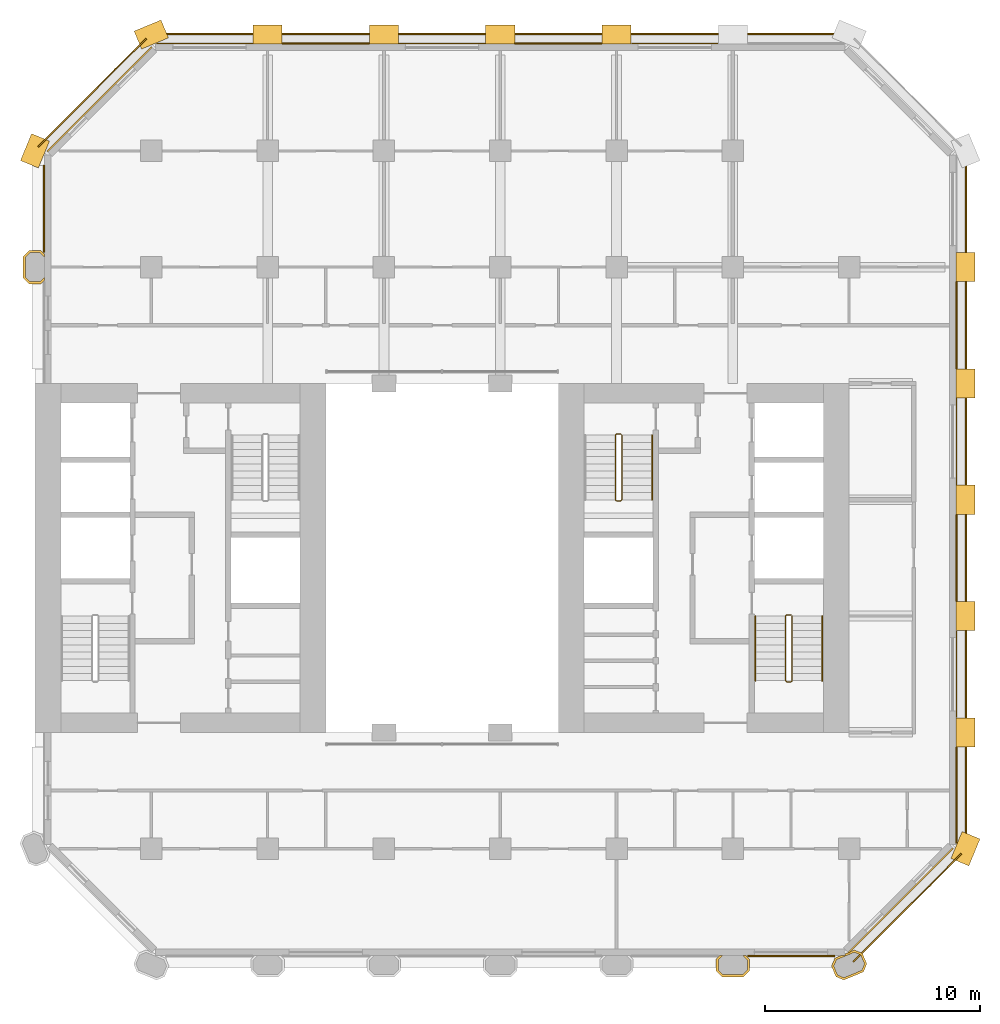
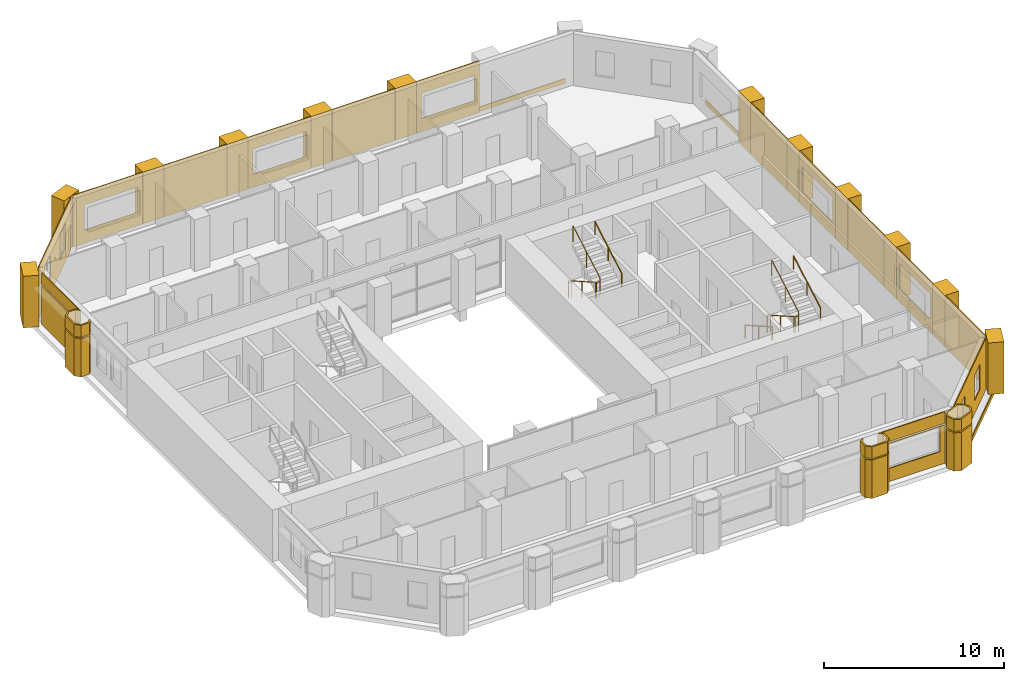
# One storey, part 10 of 11: 38 coverings, 5 railings.
"""IFC4 building model written with IfcOpenShell, lengths in metres."""

from ifc_helpers import new_model, si_unit, direction, frame, frame_2d, origin, origin_2d, place, context, subcontext, project, spatial, polyline, rectangle, circle, outline, extrude, material, layer, layer_set, type_object, element, save


model = new_model("IFC4")

# Units and contexts
model_context = context("Model", 3, precision=1e-05, world=origin(), true_north=direction((0.0, 1.0)))
body_context = subcontext(model_context, "Body", "Model", "MODEL_VIEW")
ifc_project = project(units=[si_unit("LENGTHUNIT", "METRE"), si_unit("AREAUNIT", "SQUARE_METRE"), si_unit("VOLUMEUNIT", "CUBIC_METRE"), si_unit("PLANEANGLEUNIT", "RADIAN"), si_unit("MASSUNIT", "GRAM", prefix="KILO")], contexts=[model_context])

# Site, building, storey
site_placement = place(None, origin())
site = spatial("IfcSite", under=ifc_project, at=site_placement, CompositionType="ELEMENT")
building_placement = place(site_placement, origin())
building = spatial("IfcBuilding", under=site, at=building_placement, Name="Tabaq Tower and Sports Hall", CompositionType="ELEMENT")
storey_placement = place(building_placement, frame((0.0, 0.0, 76.39990234375)))
storey = spatial("IfcBuildingStorey", under=building, at=storey_placement, Name="L17", CompositionType="ELEMENT", Elevation=76.39990234375)

# Coverings
ifc_material_1 = material(Name="Precast concrete C60/75", Category="concrete")
ifc_layer_1 = layer(ifc_material_1, 0.10009765625)
ifc_layer_set_1 = layer_set([ifc_layer_1], Name="Column cladding 100")
covering_type_1 = type_object("IfcCoveringType", Name="Column cladding 100", PredefinedType="CLADDING", material=ifc_layer_set_1)
covering_1_placement = place(storey_placement, origin())
element("IfcCovering", 1, at=covering_1_placement, inside=storey, type_object=covering_type_1, Name="Column cladding L17 PC-2H-O2", PredefinedType="CLADDING", context=body_context, shape_type="SweptSolid", body=[
    extrude(outline(polyline([(5.1337890625, 37.025390625), (4.850341796875, 37.30859375), (4.850341796875, 38.291259765625), (5.1337890625, 38.57470703125), (5.666259765625, 38.57470703125), (5.849609375, 38.391357421875), (5.849609375, 38.250732421875), (5.625244140625, 38.475341796875), (5.1748046875, 38.475341796875), (4.94970703125, 38.250244140625), (4.94970703125, 37.349853515625), (5.1748046875, 37.124755859375), (5.625244140625, 37.124755859375), (5.849609375, 37.349365234375), (5.849609375, 37.208740234375), (5.666259765625, 37.025390625), (5.1337890625, 37.025390625)])), origin(), (0.0, 0.0, 1.0), 2.60009765625),
])
covering_2_placement = place(storey_placement, frame((0.0, 0.0, 2.7001953125)))
element("IfcCovering", 2, at=covering_2_placement, inside=storey, type_object=covering_type_1, Name="Column cladding L17 PC-2H-O2 2", PredefinedType="CLADDING", context=body_context, shape_type="SweptSolid", body=[
    extrude(outline(polyline([(5.1337890625, 37.025390625), (4.850341796875, 37.30859375), (4.850341796875, 38.291259765625), (5.1337890625, 38.57470703125), (5.666259765625, 38.57470703125), (5.849609375, 38.391357421875), (5.849609375, 38.250732421875), (5.625244140625, 38.475341796875), (5.1748046875, 38.475341796875), (4.94970703125, 38.250244140625), (4.94970703125, 37.349853515625), (5.1748046875, 37.124755859375), (5.625244140625, 37.124755859375), (5.849609375, 37.349365234375), (5.849609375, 37.208740234375), (5.666259765625, 37.025390625), (5.1337890625, 37.025390625)])), origin(), (0.0, 0.0, 1.0), 0.7998046875),
])
covering_3_placement = place(storey_placement, origin())
element("IfcCovering", 3, at=covering_3_placement, inside=storey, type_object=covering_type_1, Name="Column cladding L17 PC-8B-O2", PredefinedType="CLADDING", context=body_context, shape_type="SweptSolid", body=[
    extrude(outline(polyline([(37.025390625, 5.666259765625), (37.208740234375, 5.849609375), (37.349365234375, 5.849609375), (37.124755859375, 5.625244140625), (37.124755859375, 5.1748046875), (37.349853515625, 4.94970703125), (38.250244140625, 4.94970703125), (38.475341796875, 5.1748046875), (38.475341796875, 5.625244140625), (38.250732421875, 5.849609375), (38.391357421875, 5.849609375), (38.57470703125, 5.666259765625), (38.57470703125, 5.1337890625), (38.291259765625, 4.850341796875), (37.30859375, 4.850341796875), (37.025390625, 5.1337890625), (37.025390625, 5.666259765625)])), origin(), (0.0, 0.0, 1.0), 2.60009765625),
])
covering_4_placement = place(storey_placement, frame((0.0, 0.0, 2.7001953125)))
element("IfcCovering", 4, at=covering_4_placement, inside=storey, type_object=covering_type_1, Name="Column cladding L17 PC-8B-O2 2", PredefinedType="CLADDING", context=body_context, shape_type="SweptSolid", body=[
    extrude(outline(polyline([(37.025390625, 5.666259765625), (37.208740234375, 5.849609375), (37.349365234375, 5.849609375), (37.124755859375, 5.625244140625), (37.124755859375, 5.1748046875), (37.349853515625, 4.94970703125), (38.250244140625, 4.94970703125), (38.475341796875, 5.1748046875), (38.475341796875, 5.625244140625), (38.250732421875, 5.849609375), (38.391357421875, 5.849609375), (38.57470703125, 5.666259765625), (38.57470703125, 5.1337890625), (38.291259765625, 4.850341796875), (37.30859375, 4.850341796875), (37.025390625, 5.1337890625), (37.025390625, 5.666259765625)])), origin(), (0.0, 0.0, 1.0), 0.7998046875),
])
covering_5_placement = place(storey_placement, origin())
element("IfcCovering", 5, at=covering_5_placement, inside=storey, type_object=covering_type_1, Name="Column cladding L17 PC-9B-O2", PredefinedType="CLADDING", context=body_context, shape_type="SweptSolid", body=[
    extrude(outline(polyline([(42.38232421875, 5.349609375), (42.53564453125, 5.7197265625), (42.84912109375, 5.849609375), (43.013916015625, 5.849609375), (43.013916015625, 5.91796875), (43.16748046875, 5.9814453125), (43.198974609375, 5.9501953125), (43.27490234375, 6.026123046875), (43.443603515625, 6.095947265625), (43.813720703125, 5.9423828125), (44.017578125, 5.450439453125), (43.8642578125, 5.080078125), (42.95654296875, 4.7041015625), (42.586181640625, 4.857421875), (42.38232421875, 5.349609375)]), holes=[polyline([(43.91015625, 5.450439453125), (43.73779296875, 5.866455078125), (43.443603515625, 5.98828125), (42.61181640625, 5.643798828125), (42.489990234375, 5.349609375), (42.662353515625, 4.93359375), (42.95654296875, 4.811767578125), (43.7880859375, 5.15625), (43.91015625, 5.450439453125)])]), origin(), (0.0, 0.0, 1.0), 2.60009765625),
])
covering_6_placement = place(storey_placement, frame((0.0, 0.0, 2.7001953125)))
element("IfcCovering", 6, at=covering_6_placement, inside=storey, type_object=covering_type_1, Name="Column cladding L17 PC-9B-O2 2", PredefinedType="CLADDING", context=body_context, shape_type="SweptSolid", body=[
    extrude(outline(polyline([(42.38232421875, 5.349609375), (42.53564453125, 5.7197265625), (42.84912109375, 5.849609375), (43.013916015625, 5.849609375), (43.013916015625, 5.91796875), (43.16748046875, 5.9814453125), (43.198974609375, 5.9501953125), (43.27490234375, 6.026123046875), (43.443603515625, 6.095947265625), (43.813720703125, 5.9423828125), (44.017578125, 5.450439453125), (43.8642578125, 5.080078125), (42.95654296875, 4.7041015625), (42.586181640625, 4.857421875), (42.38232421875, 5.349609375)]), holes=[polyline([(43.91015625, 5.450439453125), (43.73779296875, 5.866455078125), (43.443603515625, 5.98828125), (42.61181640625, 5.643798828125), (42.489990234375, 5.349609375), (42.662353515625, 4.93359375), (42.95654296875, 4.811767578125), (43.7880859375, 5.15625), (43.91015625, 5.450439453125)])]), origin(), (0.0, 0.0, 1.0), 0.7998046875),
])
ifc_material_2 = material(Name="Precast concrete C60/75", Category="concrete")
ifc_layer_2 = layer(ifc_material_2, 0.06005859375)
ifc_layer_set_2 = layer_set([ifc_layer_2], Name="Edge beam cladding 60")
covering_type_2 = type_object("IfcCoveringType", Name="Edge beam cladding 60", PredefinedType="CLADDING", material=ifc_layer_set_2)
covering_7_placement = place(storey_placement, frame((43.39794921875, 5.5556640625, -0.2998046875), z_axis=(0.0, 0.0, 1.0), x_axis=(0.707124002701, 0.707089559252, 0.0)))
element("IfcCovering", 7, at=covering_7_placement, inside=storey, type_object=covering_type_2, Name="Edge beam cladding L17 1", PredefinedType="CLADDING", context=body_context, shape_type="SweptSolid", body=[
    extrude(rectangle(XDim=7.088134765625, YDim=0.06005859375, at=frame_2d((3.5439453125, 0.0))), origin(), (0.0, 0.0, 1.0), 0.2998046875),
])
for number, where, z_axis, x_axis, name in (
    (8, (48.6298828125, 11.0986328125, -0.2998046875), (0.0, 0.0, 1.0), (0.0, 1.0, 0.0), "Edge beam cladding L17 2"),
    (9, (42.9013671875, 48.6298828125, -0.2998046875), (0.0, 0.0, 1.0), (-1.0, 0.0, 0.0), "Edge beam cladding L17 4"),
):
    element("IfcCovering", number, at=place(storey_placement, frame(where, z_axis=z_axis, x_axis=x_axis)), inside=storey, type_object=covering_type_2, Name=name, PredefinedType="CLADDING", context=body_context, shape_type="SweptSolid", body=[
        extrude(rectangle(XDim=31.802734375, YDim=0.06005859375, at=frame_2d((15.9013671875, 0.0))), origin(), (0.0, 0.0, 1.0), 0.2998046875),
    ])
covering_8_placement = place(storey_placement, frame((10.567626953125, 48.41015625, -0.2998046875), z_axis=(0.0, 0.0, 1.0), x_axis=(-0.707089559252, -0.707124002701, 0.0)))
element("IfcCovering", 10, at=covering_8_placement, inside=storey, type_object=covering_type_2, Name="Edge beam cladding L17 5", PredefinedType="CLADDING", context=body_context, shape_type="SweptSolid", body=[
    extrude(rectangle(XDim=7.088134765625, YDim=0.06005859375, at=frame_2d((3.5439453125, 0.0))), origin(), (0.0, 0.0, 1.0), 0.2998046875),
])
ifc_material_3 = material(Name="White precast concrete C60/75", Category="concrete")
covering_type_3 = type_object("IfcCoveringType", Name="Pier cladding hung 1350x900", PredefinedType="CLADDING", material=ifc_material_3)
for number, where, z_axis, x_axis, name in (
    (11, (5.658203125, 43.82373046875, 0.0), (0.0, 0.0, 1.0), (-0.382649923473, -0.923893411637, 0.0), "Hung pier cladding 1/8"),
    (12, (11.423583984375, 48.8583984375, 0.0), (0.0, 0.0, 1.0), (-0.923893411637, -0.382649923473, 0.0), "Hung pier cladding 2/9"),
    (13, (16.875, 48.60009765625, 0.0), (0.0, 0.0, 1.0), (-1.0, 0.0, 0.0), "Hung pier cladding 3/9"),
):
    element("IfcCovering", number, at=place(storey_placement, frame(where, z_axis=z_axis, x_axis=x_axis)), inside=storey, type_object=covering_type_3, Name=name, PredefinedType="CLADDING", context=body_context, shape_type="SweptSolid", body=[
        extrude(rectangle(XDim=1.35009765625, YDim=0.89990234375, at=frame_2d((0.675048828125, 0.0))), origin(), (0.0, 0.0, 1.0), 3.5),
    ])
covering_9_placement = place(storey_placement, frame((22.27490234375, 48.60009765625, 0.0), z_axis=(0.0, 0.0, 1.0), x_axis=(-1.0, 0.0, 0.0)))
element("IfcCovering", 14, at=covering_9_placement, inside=storey, type_object=covering_type_3, Name="Hung pier cladding 4/9", PredefinedType="CLADDING", context=body_context, shape_type="SweptSolid", body=[
    extrude(rectangle(XDim=1.349853515625, YDim=0.89990234375, at=frame_2d((0.6748046875, 0.0))), origin(), (0.0, 0.0, 1.0), 3.5),
])
covering_10_placement = place(storey_placement, frame((27.675048828125, 48.60009765625, 0.0), z_axis=(0.0, 0.0, 1.0), x_axis=(-1.0, 0.0, 0.0)))
element("IfcCovering", 15, at=covering_10_placement, inside=storey, type_object=covering_type_3, Name="Hung pier cladding 5/9", PredefinedType="CLADDING", context=body_context, shape_type="SweptSolid", body=[
    extrude(rectangle(XDim=1.35009765625, YDim=0.89990234375, at=frame_2d((0.675048828125, 0.0))), origin(), (0.0, 0.0, 1.0), 3.5),
])
covering_11_placement = place(storey_placement, frame((33.074951171875, 48.60009765625, 0.0), z_axis=(0.0, 0.0, 1.0), x_axis=(-1.0, 0.0, 0.0)))
element("IfcCovering", 16, at=covering_11_placement, inside=storey, type_object=covering_type_3, Name="Hung pier cladding 6/9", PredefinedType="CLADDING", context=body_context, shape_type="SweptSolid", body=[
    extrude(rectangle(XDim=1.349853515625, YDim=0.89990234375, at=frame_2d((0.6748046875, 0.0))), origin(), (0.0, 0.0, 1.0), 3.5),
])
for number, where, z_axis, x_axis, name in (
    (17, (48.341796875, 10.17626953125, 0.0), (0.0, 0.0, 1.0), (0.382649923473, 0.923893411637, 0.0), "Hung pier cladding 9/2"),
    (18, (48.60009765625, 15.52490234375, 0.0), (0.0, 0.0, 1.0), (0.0, 1.0, 0.0), "Hung pier cladding 9/3"),
):
    element("IfcCovering", number, at=place(storey_placement, frame(where, z_axis=z_axis, x_axis=x_axis)), inside=storey, type_object=covering_type_3, Name=name, PredefinedType="CLADDING", context=body_context, shape_type="SweptSolid", body=[
        extrude(rectangle(XDim=1.35009765625, YDim=0.89990234375, at=frame_2d((0.675048828125, 0.0))), origin(), (0.0, 0.0, 1.0), 3.5),
    ])
covering_12_placement = place(storey_placement, frame((48.60009765625, 20.925048828125, 0.0), z_axis=(0.0, 0.0, 1.0), x_axis=(0.0, 1.0, 0.0)))
element("IfcCovering", 19, at=covering_12_placement, inside=storey, type_object=covering_type_3, Name="Hung pier cladding 9/4", PredefinedType="CLADDING", context=body_context, shape_type="SweptSolid", body=[
    extrude(rectangle(XDim=1.349853515625, YDim=0.89990234375, at=frame_2d((0.6748046875, 0.0))), origin(), (0.0, 0.0, 1.0), 3.5),
])
covering_13_placement = place(storey_placement, frame((48.60009765625, 26.324951171875, 0.0), z_axis=(0.0, 0.0, 1.0), x_axis=(0.0, 1.0, 0.0)))
element("IfcCovering", 20, at=covering_13_placement, inside=storey, type_object=covering_type_3, Name="Hung pier cladding 9/5", PredefinedType="CLADDING", context=body_context, shape_type="SweptSolid", body=[
    extrude(rectangle(XDim=1.35009765625, YDim=0.89990234375, at=frame_2d((0.675048828125, 0.0))), origin(), (0.0, 0.0, 1.0), 3.5),
])
covering_14_placement = place(storey_placement, frame((48.60009765625, 31.72509765625, 0.0), z_axis=(0.0, 0.0, 1.0), x_axis=(0.0, 1.0, 0.0)))
element("IfcCovering", 21, at=covering_14_placement, inside=storey, type_object=covering_type_3, Name="Hung pier cladding 9/6", PredefinedType="CLADDING", context=body_context, shape_type="SweptSolid", body=[
    extrude(rectangle(XDim=1.349853515625, YDim=0.89990234375, at=frame_2d((0.6748046875, 0.0))), origin(), (0.0, 0.0, 1.0), 3.5),
])
covering_15_placement = place(storey_placement, frame((48.60009765625, 37.125, 0.0), z_axis=(0.0, 0.0, 1.0), x_axis=(0.0, 1.0, 0.0)))
element("IfcCovering", 22, at=covering_15_placement, inside=storey, type_object=covering_type_3, Name="Hung pier cladding 9/7", PredefinedType="CLADDING", context=body_context, shape_type="SweptSolid", body=[
    extrude(rectangle(XDim=1.35009765625, YDim=0.89990234375, at=frame_2d((0.675048828125, 0.0))), origin(), (0.0, 0.0, 1.0), 3.5),
])

# Railings
ifc_material_4 = material(Name="Stainless steel", Category="steel")
railing_type_1 = type_object("IfcRailingType", Name="Stair guard", PredefinedType="GUARDRAIL", material=ifc_material_4)
railing_1_placement = place(storey_placement, frame((40.5, 21.64990234375, 0.0)))
element("IfcRailing", 23, at=railing_1_placement, inside=storey, type_object=railing_type_1, Name="L17 ST3 stair guard 1", PredefinedType="GUARDRAIL", context=body_context, shape_type="SweptSolid", body=[
    extrude(circle(Radius=0.02392578125, at=origin_2d()), frame((0.0, 0.0, 1.076171875), z_axis=(-1.0, 0.0, 0.0), x_axis=(0.0, -1.0, 0.0)), (0.0, 0.0, 1.0), 0.199951171875),
    extrude(circle(Radius=0.02392578125, at=origin_2d()), frame((-0.199951171875, 0.0, 1.076171875), z_axis=(-0.246704845944, -0.245501407671, 0.937478414588), x_axis=(0.705375805398, -0.708833529934, 0.0)), (0.0, 0.0, 1.0), 0.202880859375),
    extrude(circle(Radius=0.02392578125, at=origin_2d()), frame((-0.25, -0.0498046875, 1.26611328125), z_axis=(0.0, -0.868782136927, 0.495194505781), x_axis=(1.0, 0.0, 0.0)), (0.0, 0.0, 1.0), 3.453125),
    extrude(circle(Radius=0.02392578125, at=origin_2d()), frame((-0.25, -3.0498046875, 2.97607421875), z_axis=(0.707106781187, -0.707106781187, 0.0), x_axis=(0.707106781187, 0.707106781187, 0.0)), (0.0, 0.0, 1.0), 0.07080078125),
    extrude(circle(Radius=0.02392578125, at=origin_2d()), frame((-0.199951171875, -3.099853515625, 2.97607421875), z_axis=(1.0, 0.0, 0.0), x_axis=(0.0, 1.0, 0.0)), (0.0, 0.0, 1.0), 0.199951171875),
    extrude(circle(Radius=0.02392578125, at=origin_2d()), frame((0.0, -3.099853515625, 2.97607421875), z_axis=(0.246910188598, 0.246910188598, 0.937054276727), x_axis=(-0.707106781187, 0.707106781187, 0.0)), (0.0, 0.0, 1.0), 0.20263671875),
    extrude(circle(Radius=0.02392578125, at=origin_2d()), frame((0.050048828125, -3.0498046875, 3.166015625), z_axis=(0.0, 0.868782136927, 0.495194505781), x_axis=(-1.0, 0.0, 0.0)), (0.0, 0.0, 1.0), 3.453125),
    extrude(circle(Radius=0.02099609375, at=origin_2d()), origin(), (0.0, 0.0, 1.0), 1.052001953125),
    extrude(circle(Radius=0.02099609375, at=origin_2d()), frame((-0.199951171875, 0.0, 0.0)), (0.0, 0.0, 1.0), 1.052001953125),
    extrude(circle(Radius=0.02099609375, at=origin_2d()), frame((-0.25, -0.0498046875, 0.190185546875)), (0.0, 0.0, 1.0), 1.052001953125),
    extrude(circle(Radius=0.02099609375, at=origin_2d()), frame((-0.25, -1.5498046875, 1.045166015625)), (0.0, 0.0, 1.0), 1.052001953125),
    extrude(circle(Radius=0.02099609375, at=origin_2d()), frame((-0.25, -3.0498046875, 1.900146484375)), (0.0, 0.0, 1.0), 1.052001953125),
    extrude(circle(Radius=0.02099609375, at=origin_2d()), frame((-0.199951171875, -3.099853515625, 1.900146484375)), (0.0, 0.0, 1.0), 1.052001953125),
    extrude(circle(Radius=0.02099609375, at=origin_2d()), frame((0.0, -3.099853515625, 1.900146484375)), (0.0, 0.0, 1.0), 1.052001953125),
    extrude(circle(Radius=0.02099609375, at=origin_2d()), frame((0.050048828125, -3.0498046875, 2.090087890625)), (0.0, 0.0, 1.0), 1.052001953125),
    extrude(circle(Radius=0.02099609375, at=origin_2d()), frame((0.050048828125, -1.5498046875, 2.945068359375)), (0.0, 0.0, 1.0), 1.052001953125),
    extrude(circle(Radius=0.02099609375, at=origin_2d()), frame((0.050048828125, -0.0498046875, 3.800048828125)), (0.0, 0.0, 1.0), 1.052001953125),
])
railing_2_placement = place(storey_placement, frame((32.60009765625, 30.050048828125, 0.0)))
element("IfcRailing", 24, at=railing_2_placement, inside=storey, type_object=railing_type_1, Name="L17 ST4 stair guard 1", PredefinedType="GUARDRAIL", context=body_context, shape_type="SweptSolid", body=[
    extrude(circle(Radius=0.02392578125, at=origin_2d()), frame((0.0, 0.0, 1.076171875), z_axis=(-1.0, 0.0, 0.0), x_axis=(0.0, -1.0, 0.0)), (0.0, 0.0, 1.0), 0.2001953125),
    extrude(circle(Radius=0.02392578125, at=origin_2d()), frame((-0.2001953125, 0.0, 1.076171875), z_axis=(-0.245501407671, -0.246704845944, 0.937478414588), x_axis=(0.708833529934, -0.705375805398, 0.0)), (0.0, 0.0, 1.0), 0.202880859375),
    extrude(circle(Radius=0.02392578125, at=origin_2d()), frame((-0.25, -0.050048828125, 1.26611328125), z_axis=(0.0, -0.868782136927, 0.495194505781), x_axis=(1.0, 0.0, 0.0)), (0.0, 0.0, 1.0), 3.453125),
    extrude(circle(Radius=0.02392578125, at=origin_2d()), frame((-0.25, -3.050048828125, 2.97607421875), z_axis=(0.705375805398, -0.708833529934, 0.0), x_axis=(0.708833529934, 0.705375805398, 0.0)), (0.0, 0.0, 1.0), 0.070556640625),
    extrude(circle(Radius=0.02392578125, at=origin_2d()), frame((-0.2001953125, -3.10009765625, 2.97607421875), z_axis=(1.0, 0.0, 0.0), x_axis=(0.0, 1.0, 0.0)), (0.0, 0.0, 1.0), 0.2001953125),
    extrude(circle(Radius=0.02392578125, at=origin_2d()), frame((0.0, -3.10009765625, 2.97607421875), z_axis=(0.245778672949, 0.246983470365, 0.937332389972), x_axis=(-0.708833529934, 0.705375805398, 0.0)), (0.0, 0.0, 1.0), 0.20263671875),
    extrude(circle(Radius=0.02392578125, at=origin_2d()), frame((0.0498046875, -3.050048828125, 3.166015625), z_axis=(0.0, 0.868782136927, 0.495194505781), x_axis=(-1.0, 0.0, 0.0)), (0.0, 0.0, 1.0), 3.453125),
    extrude(circle(Radius=0.02099609375, at=origin_2d()), origin(), (0.0, 0.0, 1.0), 1.052001953125),
    extrude(circle(Radius=0.02099609375, at=origin_2d()), frame((-0.2001953125, 0.0, 0.0)), (0.0, 0.0, 1.0), 1.052001953125),
    extrude(circle(Radius=0.02099609375, at=origin_2d()), frame((-0.25, -0.050048828125, 0.190185546875)), (0.0, 0.0, 1.0), 1.052001953125),
    extrude(circle(Radius=0.02099609375, at=origin_2d()), frame((-0.25, -1.550048828125, 1.045166015625)), (0.0, 0.0, 1.0), 1.052001953125),
    extrude(circle(Radius=0.02099609375, at=origin_2d()), frame((-0.25, -3.050048828125, 1.900146484375)), (0.0, 0.0, 1.0), 1.052001953125),
    extrude(circle(Radius=0.02099609375, at=origin_2d()), frame((-0.2001953125, -3.10009765625, 1.900146484375)), (0.0, 0.0, 1.0), 1.052001953125),
    extrude(circle(Radius=0.02099609375, at=origin_2d()), frame((0.0, -3.10009765625, 1.900146484375)), (0.0, 0.0, 1.0), 1.052001953125),
    extrude(circle(Radius=0.02099609375, at=origin_2d()), frame((0.0498046875, -3.050048828125, 2.090087890625)), (0.0, 0.0, 1.0), 1.052001953125),
    extrude(circle(Radius=0.02099609375, at=origin_2d()), frame((0.0498046875, -1.550048828125, 2.945068359375)), (0.0, 0.0, 1.0), 1.052001953125),
    extrude(circle(Radius=0.02099609375, at=origin_2d()), frame((0.0498046875, -0.050048828125, 3.800048828125)), (0.0, 0.0, 1.0), 1.052001953125),
])
ifc_material_5 = material(Name="Stainless steel", Category="steel")
railing_type_2 = type_object("IfcRailingType", Name="Stair handrail", PredefinedType="HANDRAIL", material=ifc_material_5)
railing_3_placement = place(storey_placement, frame((38.85009765625, 21.60009765625, 0.190185546875)))
element("IfcRailing", 25, at=railing_3_placement, inside=storey, type_object=railing_type_2, Name="L17 ST3 stair handrail 1", PredefinedType="HANDRAIL", context=body_context, shape_type="SweptSolid", body=[
    extrude(circle(Radius=0.02392578125, at=origin_2d()), frame((0.0, 0.0, 0.8759765625), z_axis=(0.0, -0.868782136927, 0.495194505781), x_axis=(1.0, 0.0, 0.0)), (0.0, 0.0, 1.0), 3.453125),
    extrude(circle(Radius=0.02099609375, at=origin_2d()), origin(), (0.0, 0.0, 1.0), 0.851806640625),
    extrude(circle(Radius=0.02099609375, at=origin_2d()), frame((0.0, -1.5, 0.85498046875)), (0.0, 0.0, 1.0), 0.851806640625),
    extrude(circle(Radius=0.02099609375, at=origin_2d()), frame((0.0, -3.0, 1.7099609375)), (0.0, 0.0, 1.0), 0.851806640625),
])
for number, where, name in (
    (26, (41.949951171875, 18.60009765625, 2.090087890625), "L17 ST3 stair handrail 2"),
    (27, (34.050048828125, 27.0, 2.090087890625), "L17 ST4 stair handrail 2"),
):
    element("IfcRailing", number, at=place(storey_placement, frame(where)), inside=storey, type_object=railing_type_2, Name=name, PredefinedType="HANDRAIL", context=body_context, shape_type="SweptSolid", body=[
        extrude(circle(Radius=0.02392578125, at=origin_2d()), frame((0.0, 0.0, 0.8759765625), z_axis=(0.0, 0.868782136927, 0.495194505781), x_axis=(-1.0, 0.0, 0.0)), (0.0, 0.0, 1.0), 3.453125),
        extrude(circle(Radius=0.02099609375, at=origin_2d()), origin(), (0.0, 0.0, 1.0), 0.851806640625),
        extrude(circle(Radius=0.02099609375, at=origin_2d()), frame((0.0, 1.5, 0.85498046875)), (0.0, 0.0, 1.0), 0.851806640625),
        extrude(circle(Radius=0.02099609375, at=origin_2d()), frame((0.0, 3.0, 1.7099609375)), (0.0, 0.0, 1.0), 0.851806640625),
    ])

# Coverings
ifc_material_6 = material(Name="Precast concrete C60/75", Category="concrete")
ifc_layer_3 = layer(ifc_material_6, 0.06005859375)
ifc_layer_set_3 = layer_set([ifc_layer_3], Name="White precast cladding panel 60 C60/75")
covering_type_4 = type_object("IfcCoveringType", Name="White precast cladding panel 60 C60/75", PredefinedType="CLADDING", material=ifc_layer_set_3)
covering_16_placement = place(storey_placement, frame((38.485107421875, 5.820068359375, 0.0), z_axis=(0.0, 0.0, 1.0), x_axis=(1.0, 0.0, 0.0)))
element("IfcCovering", 28, at=covering_16_placement, inside=storey, type_object=covering_type_4, Name="White precast cladding panel L17 wall00 11", PredefinedType="CLADDING", context=body_context, shape_type="SweptSolid", body=[
    extrude(outline(polyline([(0.0, 0.0), (4.0498046875, 0.0), (4.0498046875, 2.590087890625), (0.0, 2.590087890625), (0.0, 0.0)]), holes=[polyline([(3.72509765625, 0.89013671875), (0.304931640625, 0.89013671875), (0.304931640625, 2.56005859375), (3.72509765625, 2.56005859375), (3.72509765625, 0.89013671875)])]), frame((0.0, 0.030029296875, 0.0), z_axis=(0.0, -1.0, 0.0), x_axis=(1.0, 0.0, 0.0)), (0.0, 0.0, 1.0), 0.06005859375),
])
covering_17_placement = place(storey_placement, frame((38.485107421875, 5.820068359375, 2.710205078125), z_axis=(0.0, 0.0, 1.0), x_axis=(1.0, 0.0, 0.0)))
element("IfcCovering", 29, at=covering_17_placement, inside=storey, type_object=covering_type_4, Name="White precast cladding panel L17 wall00 12", PredefinedType="CLADDING", context=body_context, shape_type="SweptSolid", body=[
    extrude(rectangle(XDim=4.0498046875, YDim=0.06005859375, at=frame_2d((2.02490234375, 0.0))), origin(), (0.0, 0.0, 1.0), 0.789794921875),
])
covering_18_placement = place(storey_placement, frame((43.177734375, 5.9716796875, 0.0), z_axis=(0.0, 0.0, 1.0), x_axis=(0.707106781187, 0.707106781187, 0.0)))
element("IfcCovering", 30, at=covering_18_placement, inside=storey, type_object=covering_type_4, Name="White precast cladding panel L17 wall01", PredefinedType="CLADDING", context=body_context, shape_type="SweptSolid", body=[
    extrude(outline(polyline([(0.0, 0.0), (6.85986328125, 0.0), (6.85986328125, 3.5), (0.0, 3.5), (0.0, 0.0)]), holes=[polyline([(1.269775390625, 2.610107421875), (2.389892578125, 2.610107421875), (2.389892578125, 0.89013671875), (1.269775390625, 0.89013671875), (1.269775390625, 2.610107421875)]), polyline([(4.4697265625, 2.610107421875), (5.58984375, 2.610107421875), (5.58984375, 0.89013671875), (4.4697265625, 0.89013671875), (4.4697265625, 2.610107421875)])]), frame((0.0, 0.030029296875, 0.0), z_axis=(0.0, -1.0, 0.0), x_axis=(1.0, 0.0, 0.0)), (0.0, 0.0, 1.0), 0.06005859375),
])
covering_19_placement = place(storey_placement, frame((48.179931640625, 11.043212890625, 0.0), z_axis=(0.0, 0.0, 1.0), x_axis=(0.0, 1.0, 0.0)))
element("IfcCovering", 31, at=covering_19_placement, inside=storey, type_object=covering_type_4, Name="White precast cladding panel L17 wall02", PredefinedType="CLADDING", context=body_context, shape_type="SweptSolid", body=[
    extrude(rectangle(XDim=4.4716796875, YDim=0.06005859375, at=frame_2d((2.23583984375, 0.0))), origin(), (0.0, 0.0, 1.0), 3.5),
])
covering_20_placement = place(storey_placement, frame((48.179931640625, 16.885009765625, 0.0), z_axis=(0.0, 0.0, 1.0), x_axis=(0.0, 1.0, 0.0)))
element("IfcCovering", 32, at=covering_20_placement, inside=storey, type_object=covering_type_4, Name="White precast cladding panel L17 wall02 2", PredefinedType="CLADDING", context=body_context, shape_type="SweptSolid", body=[
    extrude(outline(polyline([(0.0, 0.0), (4.030029296875, 0.0), (4.030029296875, 3.5), (0.0, 3.5), (0.0, 0.0)]), holes=[polyline([(0.304931640625, 0.89013671875), (0.304931640625, 2.610107421875), (3.72509765625, 2.610107421875), (3.72509765625, 0.89013671875), (0.304931640625, 0.89013671875)])]), frame((0.0, 0.030029296875, 0.0), z_axis=(0.0, -1.0, 0.0), x_axis=(1.0, 0.0, 0.0)), (0.0, 0.0, 1.0), 0.06005859375),
])
covering_21_placement = place(storey_placement, frame((48.179931640625, 22.284912109375, 0.0), z_axis=(0.0, 0.0, 1.0), x_axis=(0.0, 1.0, 0.0)))
element("IfcCovering", 33, at=covering_21_placement, inside=storey, type_object=covering_type_4, Name="White precast cladding panel L17 wall02 3", PredefinedType="CLADDING", context=body_context, shape_type="SweptSolid", body=[
    extrude(rectangle(XDim=4.030029296875, YDim=0.06005859375, at=frame_2d((2.01513671875, 0.0))), origin(), (0.0, 0.0, 1.0), 3.5),
])
covering_22_placement = place(storey_placement, frame((48.179931640625, 27.68505859375, 0.0), z_axis=(0.0, 0.0, 1.0), x_axis=(0.0, 1.0, 0.0)))
element("IfcCovering", 34, at=covering_22_placement, inside=storey, type_object=covering_type_4, Name="White precast cladding panel L17 wall02 4", PredefinedType="CLADDING", context=body_context, shape_type="SweptSolid", body=[
    extrude(outline(polyline([(0.0, 0.0), (4.030029296875, 0.0), (4.030029296875, 3.5), (0.0, 3.5), (0.0, 0.0)]), holes=[polyline([(0.304931640625, 0.89013671875), (0.304931640625, 2.610107421875), (3.72509765625, 2.610107421875), (3.72509765625, 0.89013671875), (0.304931640625, 0.89013671875)])]), frame((0.0, 0.030029296875, 0.0), z_axis=(0.0, -1.0, 0.0), x_axis=(1.0, 0.0, 0.0)), (0.0, 0.0, 1.0), 0.06005859375),
])
covering_23_placement = place(storey_placement, frame((48.179931640625, 33.0849609375, 0.0), z_axis=(0.0, 0.0, 1.0), x_axis=(0.0, 1.0, 0.0)))
element("IfcCovering", 35, at=covering_23_placement, inside=storey, type_object=covering_type_4, Name="White precast cladding panel L17 wall02 5", PredefinedType="CLADDING", context=body_context, shape_type="SweptSolid", body=[
    extrude(rectangle(XDim=4.030029296875, YDim=0.06005859375, at=frame_2d((2.01513671875, 0.0))), origin(), (0.0, 0.0, 1.0), 3.5),
])
covering_24_placement = place(storey_placement, frame((37.114990234375, 48.179931640625, 0.0), z_axis=(0.0, 0.0, 1.0), x_axis=(-1.0, 0.0, 0.0)))
element("IfcCovering", 36, at=covering_24_placement, inside=storey, type_object=covering_type_4, Name="White precast cladding panel L17 wall04 2", PredefinedType="CLADDING", context=body_context, shape_type="SweptSolid", body=[
    extrude(outline(polyline([(0.0, 0.0), (4.030029296875, 0.0), (4.030029296875, 3.5), (0.0, 3.5), (0.0, 0.0)]), holes=[polyline([(0.304931640625, 0.89013671875), (0.304931640625, 2.610107421875), (3.72509765625, 2.610107421875), (3.72509765625, 0.89013671875), (0.304931640625, 0.89013671875)])]), frame((0.0, 0.030029296875, 0.0), z_axis=(0.0, -1.0, 0.0), x_axis=(1.0, 0.0, 0.0)), (0.0, 0.0, 1.0), 0.06005859375),
])
covering_25_placement = place(storey_placement, frame((31.715087890625, 48.179931640625, 0.0), z_axis=(0.0, 0.0, 1.0), x_axis=(-1.0, 0.0, 0.0)))
element("IfcCovering", 37, at=covering_25_placement, inside=storey, type_object=covering_type_4, Name="White precast cladding panel L17 wall04 3", PredefinedType="CLADDING", context=body_context, shape_type="SweptSolid", body=[
    extrude(rectangle(XDim=4.030029296875, YDim=0.06005859375, at=frame_2d((2.01513671875, 0.0))), origin(), (0.0, 0.0, 1.0), 3.5),
])
covering_26_placement = place(storey_placement, frame((26.31494140625, 48.179931640625, 0.0), z_axis=(0.0, 0.0, 1.0), x_axis=(-1.0, 0.0, 0.0)))
element("IfcCovering", 38, at=covering_26_placement, inside=storey, type_object=covering_type_4, Name="White precast cladding panel L17 wall04 4", PredefinedType="CLADDING", context=body_context, shape_type="SweptSolid", body=[
    extrude(outline(polyline([(0.0, 0.0), (4.030029296875, 0.0), (4.030029296875, 3.5), (0.0, 3.5), (0.0, 0.0)]), holes=[polyline([(0.304931640625, 0.89013671875), (0.304931640625, 2.610107421875), (3.72509765625, 2.610107421875), (3.72509765625, 0.89013671875), (0.304931640625, 0.89013671875)])]), frame((0.0, 0.030029296875, 0.0), z_axis=(0.0, -1.0, 0.0), x_axis=(1.0, 0.0, 0.0)), (0.0, 0.0, 1.0), 0.06005859375),
])
covering_27_placement = place(storey_placement, frame((20.9150390625, 48.179931640625, 0.0), z_axis=(0.0, 0.0, 1.0), x_axis=(-1.0, 0.0, 0.0)))
element("IfcCovering", 39, at=covering_27_placement, inside=storey, type_object=covering_type_4, Name="White precast cladding panel L17 wall04 5", PredefinedType="CLADDING", context=body_context, shape_type="SweptSolid", body=[
    extrude(rectangle(XDim=4.030029296875, YDim=0.06005859375, at=frame_2d((2.01513671875, 0.0))), origin(), (0.0, 0.0, 1.0), 3.5),
])
covering_28_placement = place(storey_placement, frame((15.514892578125, 48.179931640625, 0.0), z_axis=(0.0, 0.0, 1.0), x_axis=(-1.0, 0.0, 0.0)))
element("IfcCovering", 40, at=covering_28_placement, inside=storey, type_object=covering_type_4, Name="White precast cladding panel L17 wall04 6", PredefinedType="CLADDING", context=body_context, shape_type="SweptSolid", body=[
    extrude(outline(polyline([(0.0, 0.0), (4.4716796875, 0.0), (4.4716796875, 3.5), (0.0, 3.5), (0.0, 0.0)]), holes=[polyline([(0.304931640625, 0.89013671875), (0.304931640625, 2.610107421875), (3.72509765625, 2.610107421875), (3.72509765625, 0.89013671875), (0.304931640625, 0.89013671875)])]), frame((0.0, 0.030029296875, 0.0), z_axis=(0.0, -1.0, 0.0), x_axis=(1.0, 0.0, 0.0)), (0.0, 0.0, 1.0), 0.06005859375),
])
covering_29_placement = place(storey_placement, frame((10.822265625, 48.0283203125, 0.0), z_axis=(0.0, 0.0, 1.0), x_axis=(-0.707106781187, -0.707106781187, 0.0)))
element("IfcCovering", 41, at=covering_29_placement, inside=storey, type_object=covering_type_4, Name="White precast cladding panel L17 wall05", PredefinedType="CLADDING", context=body_context, shape_type="SweptSolid", body=[
    extrude(outline(polyline([(0.0, 0.0), (6.85986328125, 0.0), (6.85986328125, 3.5), (0.0, 3.5), (0.0, 0.0)]), holes=[polyline([(1.269775390625, 2.610107421875), (2.389892578125, 2.610107421875), (2.389892578125, 0.89013671875), (1.269775390625, 0.89013671875), (1.269775390625, 2.610107421875)]), polyline([(4.4697265625, 2.610107421875), (5.58984375, 2.610107421875), (5.58984375, 0.89013671875), (4.4697265625, 0.89013671875), (4.4697265625, 2.610107421875)])]), frame((0.0, 0.030029296875, 0.0), z_axis=(0.0, -1.0, 0.0), x_axis=(1.0, 0.0, 0.0)), (0.0, 0.0, 1.0), 0.06005859375),
])
covering_30_placement = place(storey_placement, frame((5.820068359375, 42.534912109375, 0.0), z_axis=(0.0, 0.0, 1.0), x_axis=(0.0, -1.0, 0.0)))
element("IfcCovering", 42, at=covering_30_placement, inside=storey, type_object=covering_type_4, Name="White precast cladding panel L17 wall06", PredefinedType="CLADDING", context=body_context, shape_type="SweptSolid", body=[
    extrude(rectangle(XDim=4.0498046875, YDim=0.06005859375, at=frame_2d((2.02490234375, 0.0))), origin(), (0.0, 0.0, 1.0), 2.590087890625),
])
covering_31_placement = place(storey_placement, frame((5.820068359375, 42.534912109375, 2.710205078125), z_axis=(0.0, 0.0, 1.0), x_axis=(0.0, -1.0, 0.0)))
element("IfcCovering", 43, at=covering_31_placement, inside=storey, type_object=covering_type_4, Name="White precast cladding panel L17 wall06 2", PredefinedType="CLADDING", context=body_context, shape_type="SweptSolid", body=[
    extrude(rectangle(XDim=4.0498046875, YDim=0.06005859375, at=frame_2d((2.02490234375, 0.0))), origin(), (0.0, 0.0, 1.0), 0.789794921875),
])

save(model, "model.ifc")
